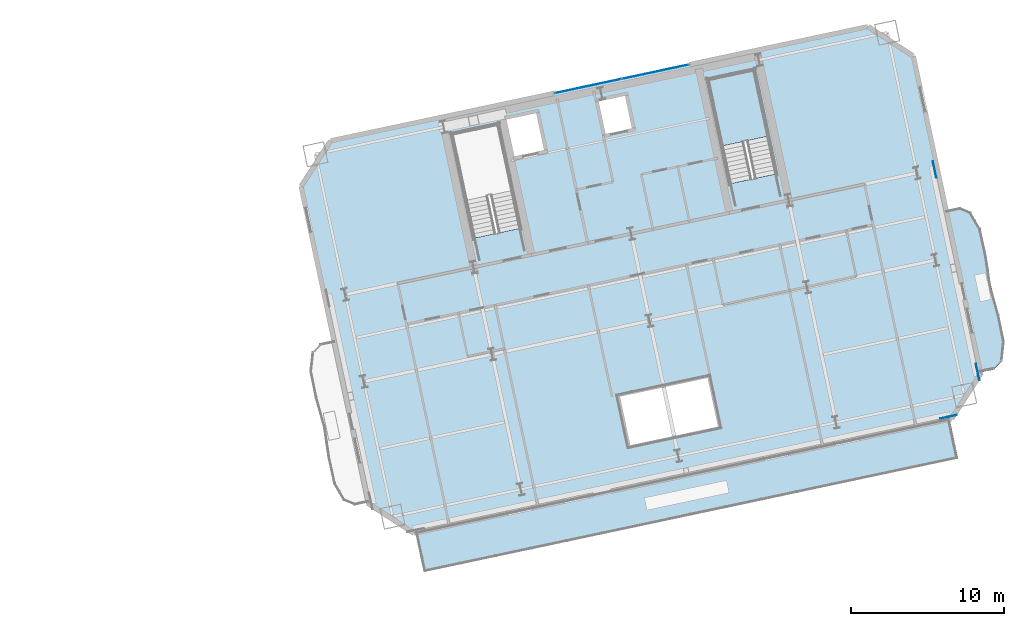
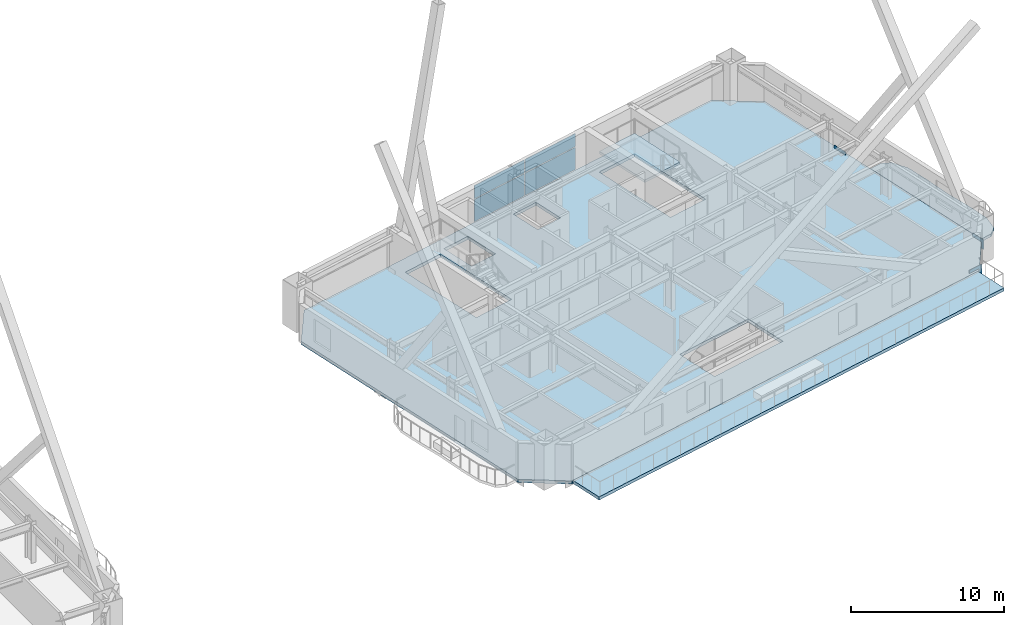
# One storey, part 11 of 22: 7 plates, 4 slabs, 2 elements without a shape of their own.
"""IFC4 building model written with IfcOpenShell, lengths in metres."""

from ifc_helpers import new_model, si_unit, direction, frame, origin, origin_2d, place, context, subcontext, project, spatial, polyline, rectangle, outline, extrude, material, layer, layer_set, type_object, element, aggregate, save


model = new_model("IFC4")

# Units and contexts
model_context = context("Model", 3, precision=1e-05, world=origin(), true_north=direction((0.0, 1.0)))
body_context = subcontext(model_context, "Body", "Model", "MODEL_VIEW")
ifc_project = project(units=[si_unit("LENGTHUNIT", "METRE"), si_unit("AREAUNIT", "SQUARE_METRE"), si_unit("VOLUMEUNIT", "CUBIC_METRE"), si_unit("PLANEANGLEUNIT", "RADIAN"), si_unit("MASSUNIT", "GRAM", prefix="KILO")], contexts=[model_context])

# Site, building, storey
site_placement = place(None, origin())
site = spatial("IfcSite", under=ifc_project, at=site_placement, CompositionType="ELEMENT")
building_placement = place(site_placement, origin())
building = spatial("IfcBuilding", under=site, at=building_placement, Name="Haevon Station Towers", CompositionType="ELEMENT")
storey_placement = place(building_placement, frame((0.0, 0.0, 93.300048828125)))
storey = spatial("IfcBuildingStorey", under=building, at=storey_placement, Name="L24", CompositionType="ELEMENT", Elevation=93.300048828125)

# Curtain wall, plates
ifc_material_1 = material(Name="Anodised aluminium and Low-E double glazing", Category="aluminium")
ifc_layer_1 = layer(ifc_material_1, 0.179931640625)
ifc_layer_set_1 = layer_set([ifc_layer_1], Name="Anodised aluminium and Low-E double glazing")
curtain_wall_type = type_object("IfcCurtainWallType", Name="CW-SYS5", PredefinedType="NOTDEFINED", material=ifc_layer_set_1)
curtain_wall_placement = place(storey_placement, origin())
curtain_wall = element("IfcCurtainWall", 1, at=curtain_wall_placement, inside=storey, type_object=curtain_wall_type, Name="L24 Curtain Wall CW-T2-L24-N", PredefinedType="NOTDEFINED")
ifc_material_2 = material(Name="Low-E double glazing", Category="glass")
ifc_layer_2 = layer(ifc_material_2, 0.028076171875)
ifc_layer_set_2 = layer_set([ifc_layer_2], Name="Low-E double glazing")
plate_type_1 = type_object("IfcPlateType", Name="CWP-GLZ28", PredefinedType="CURTAIN_PANEL", material=ifc_layer_set_2)
plate_1_placement = place(storey_placement, frame((106.224853515625, 49.254150390625, 0.06005859375), z_axis=(0.0, 0.0, 1.0), x_axis=(0.978147581095, 0.207911783211, 0.0)))
plate_1 = element("IfcPlate", 2, at=plate_1_placement, type_object=plate_type_1, Name="CW-SYS5 panel 1.1", PredefinedType="CURTAIN_PANEL", context=body_context, shape_type="SweptSolid", body=[
    extrude(rectangle(XDim=4.409912109375, YDim=0.028076171875, at=origin_2d()), origin(), (0.0, 0.0, 1.0), 1.77001953125),
])
plate_2_placement = place(storey_placement, frame((106.224853515625, 49.254150390625, 1.89013671875), z_axis=(0.0, 0.0, 1.0), x_axis=(0.978147581095, 0.207911783211, 0.0)))
plate_2 = element("IfcPlate", 3, at=plate_2_placement, type_object=plate_type_1, Name="CW-SYS5 panel 1.2", PredefinedType="CURTAIN_PANEL", context=body_context, shape_type="SweptSolid", body=[
    extrude(rectangle(XDim=4.409912109375, YDim=0.028076171875, at=origin_2d()), origin(), (0.0, 0.0, 1.0), 1.050048828125),
])
plate_3_placement = place(storey_placement, frame((110.59716796875, 50.18359375, 0.06005859375), z_axis=(0.0, 0.0, 1.0), x_axis=(0.978147581095, 0.207911783211, 0.0)))
plate_3 = element("IfcPlate", 4, at=plate_3_placement, type_object=plate_type_1, Name="CW-SYS5 panel 2.1", PredefinedType="CURTAIN_PANEL", context=body_context, shape_type="SweptSolid", body=[
    extrude(rectangle(XDim=4.409912109375, YDim=0.028076171875, at=origin_2d()), origin(), (0.0, 0.0, 1.0), 1.77001953125),
])
plate_4_placement = place(storey_placement, frame((110.59716796875, 50.18359375, 1.89013671875), z_axis=(0.0, 0.0, 1.0), x_axis=(0.978147581095, 0.207911783211, 0.0)))
plate_4 = element("IfcPlate", 5, at=plate_4_placement, type_object=plate_type_1, Name="CW-SYS5 panel 2.2", PredefinedType="CURTAIN_PANEL", context=body_context, shape_type="SweptSolid", body=[
    extrude(rectangle(XDim=4.409912109375, YDim=0.028076171875, at=origin_2d()), origin(), (0.0, 0.0, 1.0), 1.050048828125),
])
aggregate(curtain_wall, [plate_1, plate_2, plate_3, plate_4])

# Plates
ifc_material_3 = material(Name="PL-SPL1", Category="steel")
ifc_layer_3 = layer(ifc_material_3, 0.031982421875)
ifc_layer_set_3 = layer_set([ifc_layer_3], Name="PL-SPL1")
plate_type_2 = type_object("IfcPlateType", Name="PL-SPL1", PredefinedType="USERDEFINED", material=ifc_layer_set_3)
for number, where, z_axis, x_axis, name in (
    (6, (129.705322265625, 27.69482421875, -0.4951171875), (0.0, 0.0, 1.0), (0.978147600734, 0.207911690818, 0.0), "PL-T2SPL-T03-S-2"),
    (7, (131.60791015625, 30.62451171875, -0.4951171875), (0.0, 0.0, 1.0), (-0.207911690818, 0.978147600734, 0.0), "PL-T2SPL-T03-E-1"),
    (8, (128.801025390625, 43.829345703125, -0.4951171875), (0.0, 0.0, 1.0), (-0.207911690818, 0.978147600734, 0.0), "PL-T2SPL-T03-E-2"),
):
    element("IfcPlate", number, at=place(storey_placement, frame(where, z_axis=z_axis, x_axis=x_axis)), inside=storey, type_object=plate_type_2, Name=name, ObjectType="SPLICE_PLATE", PredefinedType="USERDEFINED", context=body_context, shape_type="SweptSolid", body=[
        extrude(rectangle(XDim=1.10009765625, YDim=0.031982421875, at=origin_2d()), origin(), (0.0, 0.0, 1.0), 0.75),
    ])

# Slab
ifc_material_4 = material(Name="Concrete C40/50", Category="concrete")
ifc_layer_4 = layer(ifc_material_4, 0.219970703125)
ifc_layer_set_4 = layer_set([ifc_layer_4], Name="Concrete C40/50")
slab_type_1 = type_object("IfcSlabType", Name="SL-BALC220", PredefinedType="FLOOR", material=ifc_layer_set_4)
slab_1_placement = place(storey_placement, frame((0.0, 0.0, -0.219970703125)))
element("IfcSlab", 9, at=slab_1_placement, inside=storey, type_object=slab_type_1, Name="Tower 2 L24 East SCALLOPED BALCONY", PredefinedType="FLOOR", context=body_context, shape_type="SweptSolid", body=[
    extrude(outline(polyline([(131.804443359375, 30.589599609375), (132.667236328125, 30.77294921875), (133.184814453125, 31.30322265625), (133.326416015625, 32.530029296875), (132.98388671875, 34.248291015625), (132.487548828125, 36.25537109375), (132.124755859375, 38.291015625), (131.73876953125, 40.0), (131.1103515625, 41.06298828125), (130.421630859375, 41.3369140625), (129.558837890625, 41.153564453125), (131.804443359375, 30.589599609375)])), origin(), (0.0, 0.0, 1.0), 0.219970703125),
])

# Stair, slab
stair_type = type_object("IfcStairType", Name="STR-DL1450", PredefinedType="USERDEFINED", material=ifc_material_4)
stair_placement = place(storey_placement, origin())
stair = element("IfcStair", 10, at=stair_placement, inside=storey, type_object=stair_type, Name="L24 Escape Stair ST4", ObjectType="TWO_RETURN_STAIR", PredefinedType="USERDEFINED")
ifc_layer_5 = layer(ifc_material_4, 0.199951171875)
ifc_layer_set_5 = layer_set([ifc_layer_5], Name="Concrete C40/50")
slab_type_2 = type_object("IfcSlabType", Name="SL-LND200", PredefinedType="LANDING", material=ifc_layer_set_5)
slab_2_placement = place(storey_placement, frame((0.0, 0.0, 1.449951171875)))
slab_2 = element("IfcSlab", 11, at=slab_2_placement, type_object=slab_type_2, Name="L24 ST4 Half Landing 1", PredefinedType="LANDING", context=body_context, shape_type="SweptSolid", body=[
    extrude(outline(polyline([(117.975341796875, 45.989990234375), (117.052978515625, 50.328857421875), (114.020751953125, 49.684326171875), (114.943115234375, 45.345458984375), (117.975341796875, 45.989990234375)])), origin(), (0.0, 0.0, 1.0), 0.199951171875),
])
aggregate(stair, [slab_2])

# Slabs
ifc_layer_6 = layer(ifc_material_4, 0.25)
ifc_layer_set_6 = layer_set([ifc_layer_6], Name="Concrete C40/50")
slab_type_3 = type_object("IfcSlabType", Name="SL-TERR250", PredefinedType="FLOOR", material=ifc_layer_set_6)
slab_3_placement = place(storey_placement, frame((0.0, 0.0, -0.25)))
element("IfcSlab", 12, at=slab_3_placement, inside=storey, type_object=slab_type_3, Name="Tower 2 L24 Sky Garden Terrace", PredefinedType="FLOOR", context=body_context, shape_type="SweptSolid", body=[
    extrude(outline(polyline([(95.499755859375, 17.63330078125), (130.32177734375, 25.034912109375), (129.792724609375, 27.5244140625), (94.970703125, 20.122802734375), (95.499755859375, 17.63330078125)])), origin(), (0.0, 0.0, 1.0), 0.25),
])
ifc_layer_7 = layer(ifc_material_4, 0.25)
ifc_layer_set_7 = layer_set([ifc_layer_7], Name="Concrete C40/50")
slab_type_4 = type_object("IfcSlabType", Name="SL-TW250", PredefinedType="FLOOR", material=ifc_layer_set_7)
slab_4_placement = place(storey_placement, frame((0.0, 0.0, -0.25)))
element("IfcSlab", 13, at=slab_4_placement, inside=storey, type_object=slab_type_4, Name="SL-T2-L24", PredefinedType="FLOOR", context=body_context, shape_type="SweptSolid", body=[
    extrude(outline(polyline([(94.871826171875, 20.106689453125), (129.889404296875, 27.550048828125), (131.815185546875, 30.51513671875), (127.417724609375, 51.202880859375), (124.45263671875, 53.128662109375), (89.43505859375, 45.685302734375), (87.50927734375, 42.72021484375), (91.90673828125, 22.032470703125), (94.871826171875, 20.106689453125)]), holes=[polyline([(101.8095703125, 39.98974609375), (100.36572265625, 46.781982421875), (97.33349609375, 46.137451171875), (98.77734375, 39.34521484375), (101.8095703125, 39.98974609375)]), polyline([(118.496826171875, 43.53662109375), (117.052978515625, 50.328857421875), (114.020751953125, 49.684326171875), (115.464599609375, 42.89208984375), (118.496826171875, 43.53662109375)]), polyline([(101.43212890625, 44.554931640625), (103.486328125, 44.99169921875), (102.9248046875, 47.632568359375), (100.870849609375, 47.196044921875), (101.43212890625, 44.554931640625)]), polyline([(107.259521484375, 45.998046875), (109.2158203125, 46.413818359375), (108.716796875, 48.761474609375), (106.760498046875, 48.345703125), (107.259521484375, 45.998046875)]), polyline([(108.90576171875, 25.747802734375), (114.774658203125, 26.995361328125), (114.067626953125, 30.321044921875), (108.19873046875, 29.073486328125), (108.90576171875, 25.747802734375)])]), origin(), (0.0, 0.0, 1.0), 0.25),
])

save(model, "model.ifc")
